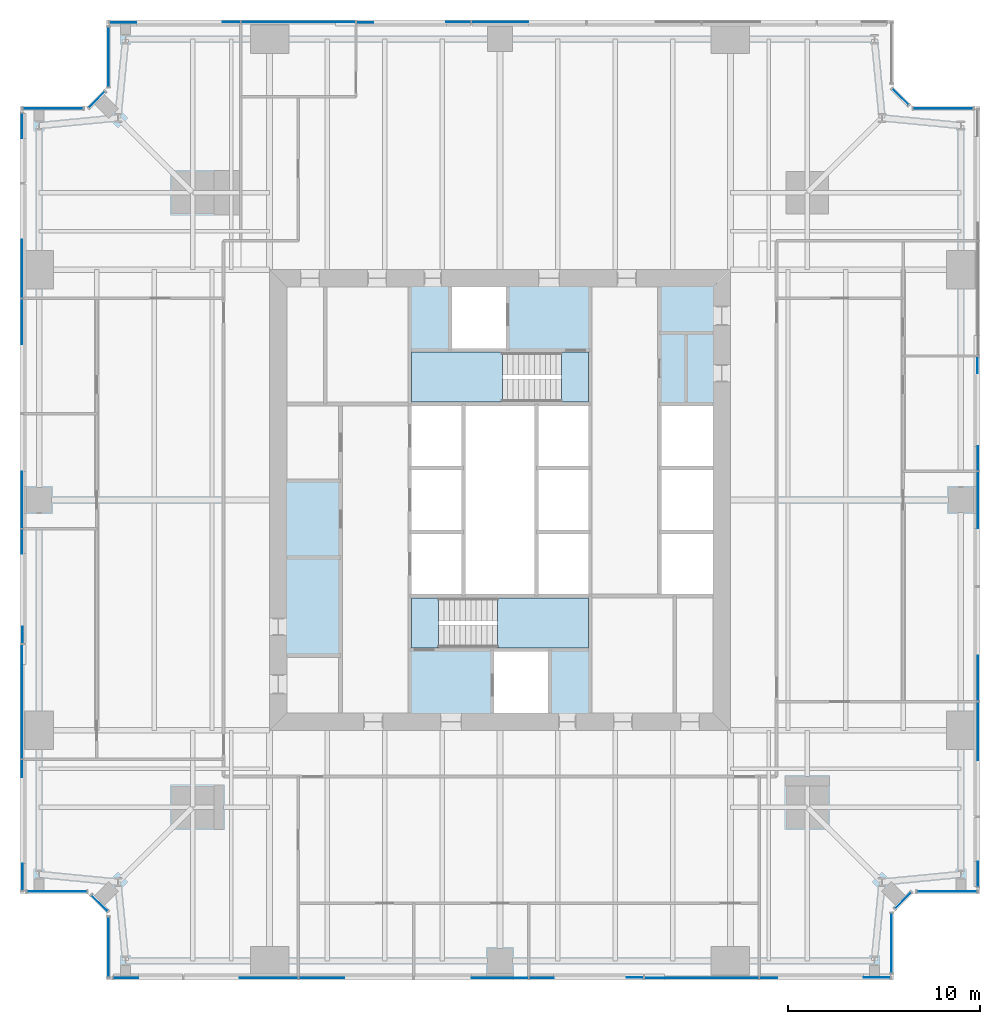
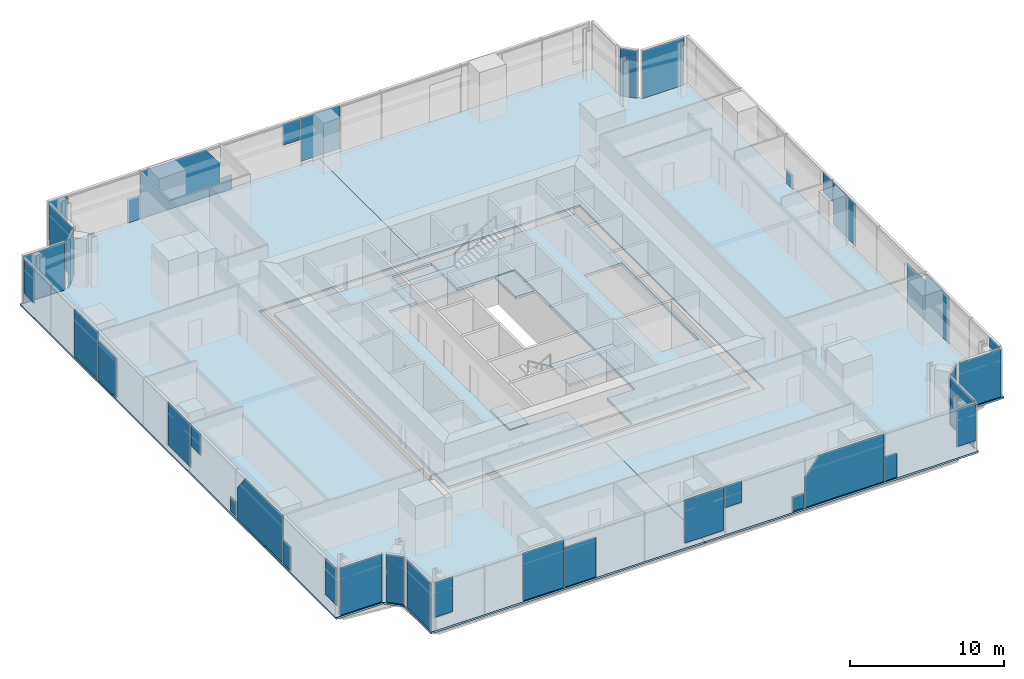
# One storey, part 8 of 14: 41 plates, 7 slabs, 17 elements without a shape of their own.
"""IFC4 building model written with IfcOpenShell, lengths in metres."""

from ifc_helpers import new_model, si_unit, direction, frame, origin, origin_2d, place, context, subcontext, project, spatial, polyline, rectangle, outline, extrude, material, layer, layer_set, type_object, element, aggregate, save


model = new_model("IFC4")

# Units and contexts
model_context = context("Model", 3, precision=1e-05, world=origin(), true_north=direction((0.0, 1.0)))
body_context = subcontext(model_context, "Body", "Model", "MODEL_VIEW")
ifc_project = project(units=[si_unit("LENGTHUNIT", "METRE"), si_unit("AREAUNIT", "SQUARE_METRE"), si_unit("VOLUMEUNIT", "CUBIC_METRE"), si_unit("PLANEANGLEUNIT", "RADIAN"), si_unit("MASSUNIT", "GRAM", prefix="KILO")], contexts=[model_context])

# Site, building, storey
site_placement = place(None, origin())
site = spatial("IfcSite", under=ifc_project, at=site_placement, CompositionType="ELEMENT")
building_placement = place(site_placement, origin())
building = spatial("IfcBuilding", under=site, at=building_placement, Name="Fenwick Lantern Interchange", CompositionType="ELEMENT")
storey_placement = place(building_placement, frame((0.0, 0.0, 150.39990234375)))
storey = spatial("IfcBuildingStorey", under=building, at=storey_placement, Name="L35", CompositionType="ELEMENT", Elevation=150.39990234375)

# Slabs
ifc_material_1 = material(Name="Concrete f'c 35 MPa", Category="concrete")
ifc_layer_1 = layer(ifc_material_1, 0.199951171875)
ifc_layer_set_1 = layer_set([ifc_layer_1], Name="CORE FLOOR SLAB 200")
slab_type_1 = type_object("IfcSlabType", Name="CORE FLOOR SLAB 200", PredefinedType="FLOOR", material=ifc_layer_set_1)
slab_1_placement = place(storey_placement, frame((0.0, 0.0, -0.199951171875)))
element("IfcSlab", 1, at=slab_1_placement, inside=storey, type_object=slab_type_1, Name="L35/SLAB/CORE", PredefinedType="FLOOR", context=body_context, shape_type="SweptSolid", body=[
    extrude(outline(polyline([(13.699951171875, 36.300048828125), (36.300048828125, 36.300048828125), (36.300048828125, 13.699951171875), (13.699951171875, 13.699951171875), (13.699951171875, 36.300048828125)]), holes=[polyline([(29.699951171875, 17.199951171875), (29.699951171875, 20.0), (29.699951171875, 23.333251953125), (29.699951171875, 26.666748046875), (29.699951171875, 30.0), (29.699951171875, 32.800048828125), (25.39990234375, 32.800048828125), (25.39990234375, 36.10009765625), (22.39990234375, 36.10009765625), (22.39990234375, 32.800048828125), (20.300048828125, 32.800048828125), (20.300048828125, 30.0), (20.300048828125, 26.666748046875), (20.300048828125, 23.333251953125), (20.300048828125, 20.0), (20.300048828125, 17.199951171875), (24.60009765625, 17.199951171875), (24.60009765625, 13.89990234375), (27.60009765625, 13.89990234375), (27.60009765625, 17.199951171875), (29.699951171875, 17.199951171875)]), polyline([(33.300048828125, 23.333251953125), (33.300048828125, 20.0), (36.10009765625, 20.0), (36.10009765625, 23.333251953125), (36.10009765625, 26.666748046875), (36.10009765625, 30.0), (33.300048828125, 30.0), (33.300048828125, 26.666748046875), (33.300048828125, 23.333251953125)])]), origin(), (0.0, 0.0, 1.0), 0.199951171875),
])
ifc_material_2 = material(Name="Concrete f'c 35 MPa", Category="concrete")
ifc_layer_2 = layer(ifc_material_2, 0.14990234375)
ifc_layer_set_2 = layer_set([ifc_layer_2], Name="Concrete f'c 35 MPa")
slab_type_2 = type_object("IfcSlabType", Name="FLOOR SLAB 150", PredefinedType="FLOOR", material=ifc_layer_set_2)
slab_2_placement = place(storey_placement, frame((0.0, 0.0, -0.14990234375)))
element("IfcSlab", 2, at=slab_2_placement, inside=storey, type_object=slab_type_2, Name="L35/SLAB/FW", PredefinedType="FLOOR", context=body_context, shape_type="SweptSolid", body=[
    extrude(outline(polyline([(4.5, 0.0), (4.5, 3.5), (3.5, 4.5), (0.0, 4.5), (0.0, 45.5), (3.5, 45.5), (4.5, 46.5), (4.5, 50.0), (25.0, 50.0), (25.0, 37.0), (13.0, 37.0), (13.0, 13.0), (25.0, 13.0), (25.0, 0.0), (4.5, 0.0)])), origin(), (0.0, 0.0, 1.0), 0.14990234375),
])
slab_3_placement = place(storey_placement, frame((0.0, 0.0, -0.14990234375)))
element("IfcSlab", 3, at=slab_3_placement, inside=storey, type_object=slab_type_2, Name="L35/SLAB/FE", PredefinedType="FLOOR", context=body_context, shape_type="SweptSolid", body=[
    extrude(outline(polyline([(45.5, 50.0), (45.5, 46.5), (46.5, 45.5), (50.0, 45.5), (50.0, 4.5), (46.5, 4.5), (45.5, 3.5), (45.5, 0.0), (25.0, 0.0), (25.0, 13.0), (37.0, 13.0), (37.0, 37.0), (25.0, 37.0), (25.0, 50.0), (45.5, 50.0)])), origin(), (0.0, 0.0, 1.0), 0.14990234375),
])

# Curtain wall, plates
ifc_material_3 = material(Name="Aluminium curtain wall frame", Category="aluminium")
curtain_wall_type = type_object("IfcCurtainWallType", Name="OFFICE CURTAIN WALL", PredefinedType="USERDEFINED", material=ifc_material_3)
curtain_wall_1_placement = place(storey_placement, origin())
curtain_wall_1 = element("IfcCurtainWall", 4, at=curtain_wall_1_placement, inside=storey, type_object=curtain_wall_type, Name="Office curtain wall 01", ObjectType="OFFICE CURTAIN WALL", PredefinedType="USERDEFINED")
ifc_material_4 = material(Name="Vision glass, clear low-iron double glazed", Category="glass")
ifc_layer_3 = layer(ifc_material_4, 0.031982421875)
ifc_layer_set_3 = layer_set([ifc_layer_3], Name="OFFICE CURTAIN WALL PANEL 32")
plate_type = type_object("IfcPlateType", Name="OFFICE CURTAIN WALL PANEL 32", PredefinedType="CURTAIN_PANEL", material=ifc_layer_set_3)
plate_1_placement = place(storey_placement, frame((4.60009765625, 0.10009765625, 1.008056640625), z_axis=(0.0, 0.0, 1.0), x_axis=(1.0, 0.0, 0.0)))
plate_1 = element("IfcPlate", 5, at=plate_1_placement, type_object=plate_type, Name="L35/CW/01/P00a", PredefinedType="CURTAIN_PANEL", context=body_context, shape_type="SweptSolid", body=[
    extrude(outline(polyline([(0.264892578125, 0.0), (1.56005859375, 0.0), (1.56005859375, 2.741943359375), (0.264892578125, 2.741943359375), (0.264892578125, 0.0)])), frame((0.0, 0.01611328125, 0.0), z_axis=(0.0, -1.0, 0.0), x_axis=(1.0, 0.0, 0.0)), (0.0, 0.0, 1.0), 0.031982421875),
])
plate_2_placement = place(storey_placement, frame((4.60009765625, 0.10009765625, 0.0), z_axis=(0.0, 0.0, 1.0), x_axis=(1.0, 0.0, 0.0)))
plate_2 = element("IfcPlate", 6, at=plate_2_placement, type_object=plate_type, Name="L35/CW/01/P01a", PredefinedType="CURTAIN_PANEL", context=body_context, shape_type="SweptSolid", body=[
    extrude(outline(polyline([(6.835205078125, 0.0), (9.867431640625, 0.0), (9.867431640625, 3.7490234375), (6.835205078125, 3.7490234375), (6.835205078125, 0.0)])), frame((0.0, 0.01611328125, 0.0), z_axis=(0.0, -1.0, 0.0), x_axis=(1.0, 0.0, 0.0)), (0.0, 0.0, 1.0), 0.031982421875),
])
plate_3_placement = place(storey_placement, frame((4.60009765625, 0.10009765625, 0.0), z_axis=(0.0, 0.0, 1.0), x_axis=(1.0, 0.0, 0.0)))
plate_3 = element("IfcPlate", 7, at=plate_3_placement, type_object=plate_type, Name="L35/CW/01/P02a", PredefinedType="CURTAIN_PANEL", context=body_context, shape_type="SweptSolid", body=[
    extrude(outline(polyline([(9.9326171875, 0.0), (12.297607421875, 0.0), (12.297607421875, 3.133544921875), (9.9326171875, 3.133544921875), (9.9326171875, 0.0)])), frame((0.0, 0.01611328125, 0.0), z_axis=(0.0, -1.0, 0.0), x_axis=(1.0, 0.0, 0.0)), (0.0, 0.0, 1.0), 0.031982421875),
])
plate_4_placement = place(storey_placement, frame((4.60009765625, 0.10009765625, 0.328125), z_axis=(0.0, 0.0, 1.0), x_axis=(1.0, 0.0, 0.0)))
plate_4 = element("IfcPlate", 8, at=plate_4_placement, type_object=plate_type, Name="L35/CW/01/P03a", PredefinedType="CURTAIN_PANEL", context=body_context, shape_type="SweptSolid", body=[
    extrude(outline(polyline([(18.928466796875, 0.0), (21.867431640625, 0.0), (21.867431640625, 3.421875), (18.928466796875, 3.421875), (18.928466796875, 0.0)])), frame((0.0, 0.01611328125, 0.0), z_axis=(0.0, -1.0, 0.0), x_axis=(1.0, 0.0, 0.0)), (0.0, 0.0, 1.0), 0.031982421875),
])
plate_5_placement = place(storey_placement, frame((4.60009765625, 0.10009765625, 2.076904296875), z_axis=(0.0, 0.0, 1.0), x_axis=(1.0, 0.0, 0.0)))
plate_5 = element("IfcPlate", 9, at=plate_5_placement, type_object=plate_type, Name="L35/CW/01/P04a", PredefinedType="CURTAIN_PANEL", context=body_context, shape_type="SweptSolid", body=[
    extrude(outline(polyline([(21.9326171875, 0.0), (23.1923828125, 0.0), (23.1923828125, 1.673095703125), (21.9326171875, 1.673095703125), (21.9326171875, 0.0)])), frame((0.0, 0.01611328125, 0.0), z_axis=(0.0, -1.0, 0.0), x_axis=(1.0, 0.0, 0.0)), (0.0, 0.0, 1.0), 0.031982421875),
])
plate_6_placement = place(storey_placement, frame((4.60009765625, 0.10009765625, 0.0), z_axis=(0.0, 0.0, 1.0), x_axis=(1.0, 0.0, 0.0)))
plate_6 = element("IfcPlate", 10, at=plate_6_placement, type_object=plate_type, Name="L35/CW/01/P04b", PredefinedType="CURTAIN_PANEL", context=body_context, shape_type="SweptSolid", body=[
    extrude(outline(polyline([(27.00048828125, 0.0), (27.867431640625, 0.0), (27.867431640625, 1.14501953125), (27.00048828125, 1.14501953125), (27.00048828125, 0.0)])), frame((0.0, 0.0498046875, 0.0), z_axis=(0.0, -1.0, 0.0), x_axis=(1.0, 0.0, 0.0)), (0.0, 0.0, 1.0), 0.031982421875),
])
plate_7_placement = place(storey_placement, frame((4.60009765625, 0.10009765625, 0.0), z_axis=(0.0, 0.0, 1.0), x_axis=(1.0, 0.0, 0.0)))
plate_7 = element("IfcPlate", 11, at=plate_7_placement, type_object=plate_type, Name="L35/CW/01/P05a", PredefinedType="CURTAIN_PANEL", context=body_context, shape_type="SweptSolid", body=[
    extrude(outline(polyline([(27.9326171875, 0.0), (33.867431640625, 0.0), (33.867431640625, 3.75), (28.96826171875, 3.75), (27.9326171875, 2.37890625), (27.9326171875, 0.0)])), frame((0.0, 0.01611328125, 0.0), z_axis=(0.0, -1.0, 0.0), x_axis=(1.0, 0.0, 0.0)), (0.0, 0.0, 1.0), 0.031982421875),
])
plate_8_placement = place(storey_placement, frame((4.60009765625, 0.10009765625, 0.0), z_axis=(0.0, 0.0, 1.0), x_axis=(1.0, 0.0, 0.0)))
plate_8 = element("IfcPlate", 12, at=plate_8_placement, type_object=plate_type, Name="L35/CW/01/P06a", PredefinedType="CURTAIN_PANEL", context=body_context, shape_type="SweptSolid", body=[
    extrude(outline(polyline([(33.9326171875, 0.0), (34.83251953125, 0.0), (34.83251953125, 1.9111328125), (33.9326171875, 1.9111328125), (33.9326171875, 0.0)])), frame((0.0, 0.01611328125, 0.0), z_axis=(0.0, -1.0, 0.0), x_axis=(1.0, 0.0, 0.0)), (0.0, 0.0, 1.0), 0.031982421875),
])
plate_9_placement = place(storey_placement, frame((4.60009765625, 0.10009765625, 0.79541015625), z_axis=(0.0, 0.0, 1.0), x_axis=(1.0, 0.0, 0.0)))
plate_9 = element("IfcPlate", 13, at=plate_9_placement, type_object=plate_type, Name="L35/CW/01/P06b", PredefinedType="CURTAIN_PANEL", context=body_context, shape_type="SweptSolid", body=[
    extrude(outline(polyline([(39.34033203125, 0.0), (40.735107421875, 0.0), (40.735107421875, 2.95458984375), (39.34033203125, 2.95458984375), (39.34033203125, 0.0)])), frame((0.0, 0.0498046875, 0.0), z_axis=(0.0, -1.0, 0.0), x_axis=(1.0, 0.0, 0.0)), (0.0, 0.0, 1.0), 0.031982421875),
])
aggregate(curtain_wall_1, [plate_1, plate_2, plate_3, plate_4, plate_5, plate_6, plate_7, plate_8, plate_9])

# Curtain wall, plate
curtain_wall_2_placement = place(storey_placement, origin())
curtain_wall_2 = element("IfcCurtainWall", 14, at=curtain_wall_2_placement, inside=storey, type_object=curtain_wall_type, Name="Office curtain wall 02", ObjectType="OFFICE CURTAIN WALL", PredefinedType="USERDEFINED")
plate_10_placement = place(storey_placement, frame((45.39990234375, 1.920654296875, 0.0), z_axis=(0.0, 0.0, 1.0), x_axis=(0.0, 1.0, 0.0)))
plate_10 = element("IfcPlate", 15, at=plate_10_placement, type_object=plate_type, Name="L35/CW/02/P00", PredefinedType="CURTAIN_PANEL", context=body_context, shape_type="SweptSolid", body=[
    extrude(rectangle(XDim=3.111328125, YDim=0.031982421875, at=origin_2d()), origin(), (0.0, 0.0, 1.0), 3.75),
])
aggregate(curtain_wall_2, [plate_10])

curtain_wall_3_placement = place(storey_placement, origin())
curtain_wall_3 = element("IfcCurtainWall", 16, at=curtain_wall_3_placement, inside=storey, type_object=curtain_wall_type, Name="Office curtain wall 03", ObjectType="OFFICE CURTAIN WALL", PredefinedType="USERDEFINED")
plate_11_placement = place(storey_placement, frame((46.0, 4.141357421875, 0.0), z_axis=(0.0, 0.0, 1.0), x_axis=(0.707106781187, 0.707106781187, 0.0)))
plate_11 = element("IfcPlate", 17, at=plate_11_placement, type_object=plate_type, Name="L35/CW/03/P00", PredefinedType="CURTAIN_PANEL", context=body_context, shape_type="SweptSolid", body=[
    extrude(rectangle(XDim=1.1669921875, YDim=0.031982421875, at=origin_2d()), origin(), (0.0, 0.0, 1.0), 3.75),
])
aggregate(curtain_wall_3, [plate_11])

curtain_wall_4_placement = place(storey_placement, origin())
curtain_wall_4 = element("IfcCurtainWall", 18, at=curtain_wall_4_placement, inside=storey, type_object=curtain_wall_type, Name="Office curtain wall 04", ObjectType="OFFICE CURTAIN WALL", PredefinedType="USERDEFINED")
plate_12_placement = place(storey_placement, frame((48.279296875, 4.60009765625, 0.0), z_axis=(0.0, 0.0, 1.0), x_axis=(1.0, 0.0, 0.0)))
plate_12 = element("IfcPlate", 19, at=plate_12_placement, type_object=plate_type, Name="L35/CW/04/P00", PredefinedType="CURTAIN_PANEL", context=body_context, shape_type="SweptSolid", body=[
    extrude(rectangle(XDim=3.111328125, YDim=0.031982421875, at=origin_2d()), origin(), (0.0, 0.0, 1.0), 3.75),
])
aggregate(curtain_wall_4, [plate_12])

# Curtain wall, plates
curtain_wall_5_placement = place(storey_placement, origin())
curtain_wall_5 = element("IfcCurtainWall", 20, at=curtain_wall_5_placement, inside=storey, type_object=curtain_wall_type, Name="Office curtain wall 05", ObjectType="OFFICE CURTAIN WALL", PredefinedType="USERDEFINED")
plate_13_placement = place(storey_placement, frame((49.89990234375, 4.60009765625, 1.008056640625), z_axis=(0.0, 0.0, 1.0), x_axis=(0.0, 1.0, 0.0)))
plate_13 = element("IfcPlate", 21, at=plate_13_placement, type_object=plate_type, Name="L35/CW/05/P00a", PredefinedType="CURTAIN_PANEL", context=body_context, shape_type="SweptSolid", body=[
    extrude(outline(polyline([(0.264892578125, 0.0), (1.56005859375, 0.0), (1.56005859375, 2.741943359375), (0.264892578125, 2.741943359375), (0.264892578125, 0.0)])), frame((0.0, 0.01611328125, 0.0), z_axis=(0.0, -1.0, 0.0), x_axis=(1.0, 0.0, 0.0)), (0.0, 0.0, 1.0), 0.031982421875),
])
plate_14_placement = place(storey_placement, frame((49.89990234375, 4.60009765625, 0.0), z_axis=(0.0, 0.0, 1.0), x_axis=(0.0, 1.0, 0.0)))
plate_14 = element("IfcPlate", 22, at=plate_14_placement, type_object=plate_type, Name="L35/CW/05/P01a", PredefinedType="CURTAIN_PANEL", context=body_context, shape_type="SweptSolid", body=[
    extrude(outline(polyline([(6.835205078125, 0.0), (9.867431640625, 0.0), (9.867431640625, 3.7490234375), (6.835205078125, 3.7490234375), (6.835205078125, 0.0)])), frame((0.0, 0.01611328125, 0.0), z_axis=(0.0, -1.0, 0.0), x_axis=(1.0, 0.0, 0.0)), (0.0, 0.0, 1.0), 0.031982421875),
])
plate_15_placement = place(storey_placement, frame((49.89990234375, 4.60009765625, 0.0), z_axis=(0.0, 0.0, 1.0), x_axis=(0.0, 1.0, 0.0)))
plate_15 = element("IfcPlate", 23, at=plate_15_placement, type_object=plate_type, Name="L35/CW/05/P02a", PredefinedType="CURTAIN_PANEL", context=body_context, shape_type="SweptSolid", body=[
    extrude(outline(polyline([(9.9326171875, 0.0), (12.297607421875, 0.0), (12.297607421875, 3.133544921875), (9.9326171875, 3.133544921875), (9.9326171875, 0.0)])), frame((0.0, 0.01611328125, 0.0), z_axis=(0.0, -1.0, 0.0), x_axis=(1.0, 0.0, 0.0)), (0.0, 0.0, 1.0), 0.031982421875),
])
plate_16_placement = place(storey_placement, frame((49.89990234375, 4.60009765625, 0.328125), z_axis=(0.0, 0.0, 1.0), x_axis=(0.0, 1.0, 0.0)))
plate_16 = element("IfcPlate", 24, at=plate_16_placement, type_object=plate_type, Name="L35/CW/05/P03a", PredefinedType="CURTAIN_PANEL", context=body_context, shape_type="SweptSolid", body=[
    extrude(outline(polyline([(18.928466796875, 0.0), (21.867431640625, 0.0), (21.867431640625, 3.421875), (18.928466796875, 3.421875), (18.928466796875, 0.0)])), frame((0.0, 0.01611328125, 0.0), z_axis=(0.0, -1.0, 0.0), x_axis=(1.0, 0.0, 0.0)), (0.0, 0.0, 1.0), 0.031982421875),
])
plate_17_placement = place(storey_placement, frame((49.89990234375, 4.60009765625, 2.076904296875), z_axis=(0.0, 0.0, 1.0), x_axis=(0.0, 1.0, 0.0)))
plate_17 = element("IfcPlate", 25, at=plate_17_placement, type_object=plate_type, Name="L35/CW/05/P04a", PredefinedType="CURTAIN_PANEL", context=body_context, shape_type="SweptSolid", body=[
    extrude(outline(polyline([(21.9326171875, 0.0), (23.1923828125, 0.0), (23.1923828125, 1.673095703125), (21.9326171875, 1.673095703125), (21.9326171875, 0.0)])), frame((0.0, 0.01611328125, 0.0), z_axis=(0.0, -1.0, 0.0), x_axis=(1.0, 0.0, 0.0)), (0.0, 0.0, 1.0), 0.031982421875),
])
plate_18_placement = place(storey_placement, frame((49.89990234375, 4.60009765625, 0.0), z_axis=(0.0, 0.0, 1.0), x_axis=(0.0, 1.0, 0.0)))
plate_18 = element("IfcPlate", 26, at=plate_18_placement, type_object=plate_type, Name="L35/CW/05/P04b", PredefinedType="CURTAIN_PANEL", context=body_context, shape_type="SweptSolid", body=[
    extrude(outline(polyline([(27.00048828125, 0.0), (27.867431640625, 0.0), (27.867431640625, 1.14501953125), (27.00048828125, 1.14501953125), (27.00048828125, 0.0)])), frame((0.0, 0.0498046875, 0.0), z_axis=(0.0, -1.0, 0.0), x_axis=(1.0, 0.0, 0.0)), (0.0, 0.0, 1.0), 0.031982421875),
])
aggregate(curtain_wall_5, [plate_13, plate_14, plate_15, plate_16, plate_17, plate_18])

# Curtain wall, plate
curtain_wall_6_placement = place(storey_placement, origin())
curtain_wall_6 = element("IfcCurtainWall", 27, at=curtain_wall_6_placement, inside=storey, type_object=curtain_wall_type, Name="Office curtain wall 06", ObjectType="OFFICE CURTAIN WALL", PredefinedType="USERDEFINED")
plate_19_placement = place(storey_placement, frame((48.079345703125, 45.39990234375, 0.0), z_axis=(0.0, 0.0, 1.0), x_axis=(-1.0, 0.0, 0.0)))
plate_19 = element("IfcPlate", 28, at=plate_19_placement, type_object=plate_type, Name="L35/CW/06/P00", PredefinedType="CURTAIN_PANEL", context=body_context, shape_type="SweptSolid", body=[
    extrude(rectangle(XDim=3.111328125, YDim=0.031982421875, at=origin_2d()), origin(), (0.0, 0.0, 1.0), 3.75),
])
aggregate(curtain_wall_6, [plate_19])

curtain_wall_7_placement = place(storey_placement, origin())
curtain_wall_7 = element("IfcCurtainWall", 29, at=curtain_wall_7_placement, inside=storey, type_object=curtain_wall_type, Name="Office curtain wall 07", ObjectType="OFFICE CURTAIN WALL", PredefinedType="USERDEFINED")
plate_20_placement = place(storey_placement, frame((45.858642578125, 46.0, 0.0), z_axis=(0.0, 0.0, 1.0), x_axis=(-0.707106781187, 0.707106781187, 0.0)))
plate_20 = element("IfcPlate", 30, at=plate_20_placement, type_object=plate_type, Name="L35/CW/07/P00", PredefinedType="CURTAIN_PANEL", context=body_context, shape_type="SweptSolid", body=[
    extrude(rectangle(XDim=1.1669921875, YDim=0.031982421875, at=origin_2d()), origin(), (0.0, 0.0, 1.0), 3.75),
])
aggregate(curtain_wall_7, [plate_20])

# Curtain wall, plates
curtain_wall_8_placement = place(storey_placement, origin())
curtain_wall_8 = element("IfcCurtainWall", 31, at=curtain_wall_8_placement, inside=storey, type_object=curtain_wall_type, Name="Office curtain wall 09", ObjectType="OFFICE CURTAIN WALL", PredefinedType="USERDEFINED")
plate_21_placement = place(storey_placement, frame((45.39990234375, 49.89990234375, 0.328125), z_axis=(0.0, 0.0, 1.0), x_axis=(-1.0, 0.0, 0.0)))
plate_21 = element("IfcPlate", 32, at=plate_21_placement, type_object=plate_type, Name="L35/CW/09/P03a", PredefinedType="CURTAIN_PANEL", context=body_context, shape_type="SweptSolid", body=[
    extrude(outline(polyline([(18.928466796875, 0.0), (21.867431640625, 0.0), (21.867431640625, 3.421875), (18.928466796875, 3.421875), (18.928466796875, 0.0)])), frame((0.0, 0.01611328125, 0.0), z_axis=(0.0, -1.0, 0.0), x_axis=(1.0, 0.0, 0.0)), (0.0, 0.0, 1.0), 0.031982421875),
])
plate_22_placement = place(storey_placement, frame((45.39990234375, 49.89990234375, 2.076904296875), z_axis=(0.0, 0.0, 1.0), x_axis=(-1.0, 0.0, 0.0)))
plate_22 = element("IfcPlate", 33, at=plate_22_placement, type_object=plate_type, Name="L35/CW/09/P04a", PredefinedType="CURTAIN_PANEL", context=body_context, shape_type="SweptSolid", body=[
    extrude(outline(polyline([(21.9326171875, 0.0), (23.1923828125, 0.0), (23.1923828125, 1.673095703125), (21.9326171875, 1.673095703125), (21.9326171875, 0.0)])), frame((0.0, 0.01611328125, 0.0), z_axis=(0.0, -1.0, 0.0), x_axis=(1.0, 0.0, 0.0)), (0.0, 0.0, 1.0), 0.031982421875),
])
plate_23_placement = place(storey_placement, frame((45.39990234375, 49.89990234375, 0.0), z_axis=(0.0, 0.0, 1.0), x_axis=(-1.0, 0.0, 0.0)))
plate_23 = element("IfcPlate", 34, at=plate_23_placement, type_object=plate_type, Name="L35/CW/09/P04b", PredefinedType="CURTAIN_PANEL", context=body_context, shape_type="SweptSolid", body=[
    extrude(outline(polyline([(27.00048828125, 0.0), (27.867431640625, 0.0), (27.867431640625, 1.14501953125), (27.00048828125, 1.14501953125), (27.00048828125, 0.0)])), frame((0.0, 0.0498046875, 0.0), z_axis=(0.0, -1.0, 0.0), x_axis=(1.0, 0.0, 0.0)), (0.0, 0.0, 1.0), 0.031982421875),
])
plate_24_placement = place(storey_placement, frame((45.39990234375, 49.89990234375, 0.0), z_axis=(0.0, 0.0, 1.0), x_axis=(-1.0, 0.0, 0.0)))
plate_24 = element("IfcPlate", 35, at=plate_24_placement, type_object=plate_type, Name="L35/CW/09/P05a", PredefinedType="CURTAIN_PANEL", context=body_context, shape_type="SweptSolid", body=[
    extrude(outline(polyline([(27.9326171875, 0.0), (33.867431640625, 0.0), (33.867431640625, 3.75), (28.96826171875, 3.75), (27.9326171875, 2.37890625), (27.9326171875, 0.0)])), frame((0.0, 0.01611328125, 0.0), z_axis=(0.0, -1.0, 0.0), x_axis=(1.0, 0.0, 0.0)), (0.0, 0.0, 1.0), 0.031982421875),
])
plate_25_placement = place(storey_placement, frame((45.39990234375, 49.89990234375, 0.0), z_axis=(0.0, 0.0, 1.0), x_axis=(-1.0, 0.0, 0.0)))
plate_25 = element("IfcPlate", 36, at=plate_25_placement, type_object=plate_type, Name="L35/CW/09/P06a", PredefinedType="CURTAIN_PANEL", context=body_context, shape_type="SweptSolid", body=[
    extrude(outline(polyline([(33.9326171875, 0.0), (34.83251953125, 0.0), (34.83251953125, 1.9111328125), (33.9326171875, 1.9111328125), (33.9326171875, 0.0)])), frame((0.0, 0.01611328125, 0.0), z_axis=(0.0, -1.0, 0.0), x_axis=(1.0, 0.0, 0.0)), (0.0, 0.0, 1.0), 0.031982421875),
])
plate_26_placement = place(storey_placement, frame((45.39990234375, 49.89990234375, 0.79541015625), z_axis=(0.0, 0.0, 1.0), x_axis=(-1.0, 0.0, 0.0)))
plate_26 = element("IfcPlate", 37, at=plate_26_placement, type_object=plate_type, Name="L35/CW/09/P06b", PredefinedType="CURTAIN_PANEL", context=body_context, shape_type="SweptSolid", body=[
    extrude(outline(polyline([(39.34033203125, 0.0), (40.735107421875, 0.0), (40.735107421875, 2.95458984375), (39.34033203125, 2.95458984375), (39.34033203125, 0.0)])), frame((0.0, 0.0498046875, 0.0), z_axis=(0.0, -1.0, 0.0), x_axis=(1.0, 0.0, 0.0)), (0.0, 0.0, 1.0), 0.031982421875),
])
aggregate(curtain_wall_8, [plate_21, plate_22, plate_23, plate_24, plate_25, plate_26])

# Curtain wall, plate
curtain_wall_9_placement = place(storey_placement, origin())
curtain_wall_9 = element("IfcCurtainWall", 38, at=curtain_wall_9_placement, inside=storey, type_object=curtain_wall_type, Name="Office curtain wall 10", ObjectType="OFFICE CURTAIN WALL", PredefinedType="USERDEFINED")
plate_27_placement = place(storey_placement, frame((4.60009765625, 48.079345703125, 0.0), z_axis=(0.0, 0.0, 1.0), x_axis=(0.0, -1.0, 0.0)))
plate_27 = element("IfcPlate", 39, at=plate_27_placement, type_object=plate_type, Name="L35/CW/10/P00", PredefinedType="CURTAIN_PANEL", context=body_context, shape_type="SweptSolid", body=[
    extrude(rectangle(XDim=3.111328125, YDim=0.031982421875, at=origin_2d()), origin(), (0.0, 0.0, 1.0), 3.75),
])
aggregate(curtain_wall_9, [plate_27])

curtain_wall_10_placement = place(storey_placement, origin())
curtain_wall_10 = element("IfcCurtainWall", 40, at=curtain_wall_10_placement, inside=storey, type_object=curtain_wall_type, Name="Office curtain wall 11", ObjectType="OFFICE CURTAIN WALL", PredefinedType="USERDEFINED")
plate_28_placement = place(storey_placement, frame((4.0, 45.858642578125, 0.0), z_axis=(0.0, 0.0, 1.0), x_axis=(-0.707106781187, -0.707106781187, 0.0)))
plate_28 = element("IfcPlate", 41, at=plate_28_placement, type_object=plate_type, Name="L35/CW/11/P00", PredefinedType="CURTAIN_PANEL", context=body_context, shape_type="SweptSolid", body=[
    extrude(rectangle(XDim=1.1669921875, YDim=0.031982421875, at=origin_2d()), origin(), (0.0, 0.0, 1.0), 3.75),
])
aggregate(curtain_wall_10, [plate_28])

curtain_wall_11_placement = place(storey_placement, origin())
curtain_wall_11 = element("IfcCurtainWall", 42, at=curtain_wall_11_placement, inside=storey, type_object=curtain_wall_type, Name="Office curtain wall 12", ObjectType="OFFICE CURTAIN WALL", PredefinedType="USERDEFINED")
plate_29_placement = place(storey_placement, frame((1.720703125, 45.39990234375, 0.0), z_axis=(0.0, 0.0, 1.0), x_axis=(-1.0, 0.0, 0.0)))
plate_29 = element("IfcPlate", 43, at=plate_29_placement, type_object=plate_type, Name="L35/CW/12/P00", PredefinedType="CURTAIN_PANEL", context=body_context, shape_type="SweptSolid", body=[
    extrude(rectangle(XDim=3.111328125, YDim=0.031982421875, at=origin_2d()), origin(), (0.0, 0.0, 1.0), 3.75),
])
aggregate(curtain_wall_11, [plate_29])

# Curtain wall, plates
curtain_wall_12_placement = place(storey_placement, origin())
curtain_wall_12 = element("IfcCurtainWall", 44, at=curtain_wall_12_placement, inside=storey, type_object=curtain_wall_type, Name="Office curtain wall 13", ObjectType="OFFICE CURTAIN WALL", PredefinedType="USERDEFINED")
plate_30_placement = place(storey_placement, frame((0.10009765625, 45.39990234375, 1.008056640625), z_axis=(0.0, 0.0, 1.0), x_axis=(0.0, -1.0, 0.0)))
plate_30 = element("IfcPlate", 45, at=plate_30_placement, type_object=plate_type, Name="L35/CW/13/P00a", PredefinedType="CURTAIN_PANEL", context=body_context, shape_type="SweptSolid", body=[
    extrude(outline(polyline([(0.264892578125, 0.0), (1.56005859375, 0.0), (1.56005859375, 2.741943359375), (0.264892578125, 2.741943359375), (0.264892578125, 0.0)])), frame((0.0, 0.01611328125, 0.0), z_axis=(0.0, -1.0, 0.0), x_axis=(1.0, 0.0, 0.0)), (0.0, 0.0, 1.0), 0.031982421875),
])
plate_31_placement = place(storey_placement, frame((0.10009765625, 45.39990234375, 0.0), z_axis=(0.0, 0.0, 1.0), x_axis=(0.0, -1.0, 0.0)))
plate_31 = element("IfcPlate", 46, at=plate_31_placement, type_object=plate_type, Name="L35/CW/13/P01a", PredefinedType="CURTAIN_PANEL", context=body_context, shape_type="SweptSolid", body=[
    extrude(outline(polyline([(6.835205078125, 0.0), (9.867431640625, 0.0), (9.867431640625, 3.7490234375), (6.835205078125, 3.7490234375), (6.835205078125, 0.0)])), frame((0.0, 0.01611328125, 0.0), z_axis=(0.0, -1.0, 0.0), x_axis=(1.0, 0.0, 0.0)), (0.0, 0.0, 1.0), 0.031982421875),
])
plate_32_placement = place(storey_placement, frame((0.10009765625, 45.39990234375, 0.0), z_axis=(0.0, 0.0, 1.0), x_axis=(0.0, -1.0, 0.0)))
plate_32 = element("IfcPlate", 47, at=plate_32_placement, type_object=plate_type, Name="L35/CW/13/P02a", PredefinedType="CURTAIN_PANEL", context=body_context, shape_type="SweptSolid", body=[
    extrude(outline(polyline([(9.9326171875, 0.0), (12.297607421875, 0.0), (12.297607421875, 3.133544921875), (9.9326171875, 3.133544921875), (9.9326171875, 0.0)])), frame((0.0, 0.01611328125, 0.0), z_axis=(0.0, -1.0, 0.0), x_axis=(1.0, 0.0, 0.0)), (0.0, 0.0, 1.0), 0.031982421875),
])
plate_33_placement = place(storey_placement, frame((0.10009765625, 45.39990234375, 0.328125), z_axis=(0.0, 0.0, 1.0), x_axis=(0.0, -1.0, 0.0)))
plate_33 = element("IfcPlate", 48, at=plate_33_placement, type_object=plate_type, Name="L35/CW/13/P03a", PredefinedType="CURTAIN_PANEL", context=body_context, shape_type="SweptSolid", body=[
    extrude(outline(polyline([(18.928466796875, 0.0), (21.867431640625, 0.0), (21.867431640625, 3.421875), (18.928466796875, 3.421875), (18.928466796875, 0.0)])), frame((0.0, 0.01611328125, 0.0), z_axis=(0.0, -1.0, 0.0), x_axis=(1.0, 0.0, 0.0)), (0.0, 0.0, 1.0), 0.031982421875),
])
plate_34_placement = place(storey_placement, frame((0.10009765625, 45.39990234375, 2.076904296875), z_axis=(0.0, 0.0, 1.0), x_axis=(0.0, -1.0, 0.0)))
plate_34 = element("IfcPlate", 49, at=plate_34_placement, type_object=plate_type, Name="L35/CW/13/P04a", PredefinedType="CURTAIN_PANEL", context=body_context, shape_type="SweptSolid", body=[
    extrude(outline(polyline([(21.9326171875, 0.0), (23.1923828125, 0.0), (23.1923828125, 1.673095703125), (21.9326171875, 1.673095703125), (21.9326171875, 0.0)])), frame((0.0, 0.01611328125, 0.0), z_axis=(0.0, -1.0, 0.0), x_axis=(1.0, 0.0, 0.0)), (0.0, 0.0, 1.0), 0.031982421875),
])
plate_35_placement = place(storey_placement, frame((0.10009765625, 45.39990234375, 0.0), z_axis=(0.0, 0.0, 1.0), x_axis=(0.0, -1.0, 0.0)))
plate_35 = element("IfcPlate", 50, at=plate_35_placement, type_object=plate_type, Name="L35/CW/13/P04b", PredefinedType="CURTAIN_PANEL", context=body_context, shape_type="SweptSolid", body=[
    extrude(outline(polyline([(27.00048828125, 0.0), (27.867431640625, 0.0), (27.867431640625, 1.14501953125), (27.00048828125, 1.14501953125), (27.00048828125, 0.0)])), frame((0.0, 0.0498046875, 0.0), z_axis=(0.0, -1.0, 0.0), x_axis=(1.0, 0.0, 0.0)), (0.0, 0.0, 1.0), 0.031982421875),
])
plate_36_placement = place(storey_placement, frame((0.10009765625, 45.39990234375, 0.0), z_axis=(0.0, 0.0, 1.0), x_axis=(0.0, -1.0, 0.0)))
plate_36 = element("IfcPlate", 51, at=plate_36_placement, type_object=plate_type, Name="L35/CW/13/P05a", PredefinedType="CURTAIN_PANEL", context=body_context, shape_type="SweptSolid", body=[
    extrude(outline(polyline([(27.9326171875, 0.0), (33.867431640625, 0.0), (33.867431640625, 3.75), (28.96826171875, 3.75), (27.9326171875, 2.37890625), (27.9326171875, 0.0)])), frame((0.0, 0.01611328125, 0.0), z_axis=(0.0, -1.0, 0.0), x_axis=(1.0, 0.0, 0.0)), (0.0, 0.0, 1.0), 0.031982421875),
])
plate_37_placement = place(storey_placement, frame((0.10009765625, 45.39990234375, 0.0), z_axis=(0.0, 0.0, 1.0), x_axis=(0.0, -1.0, 0.0)))
plate_37 = element("IfcPlate", 52, at=plate_37_placement, type_object=plate_type, Name="L35/CW/13/P06a", PredefinedType="CURTAIN_PANEL", context=body_context, shape_type="SweptSolid", body=[
    extrude(outline(polyline([(33.9326171875, 0.0), (34.83251953125, 0.0), (34.83251953125, 1.9111328125), (33.9326171875, 1.9111328125), (33.9326171875, 0.0)])), frame((0.0, 0.01611328125, 0.0), z_axis=(0.0, -1.0, 0.0), x_axis=(1.0, 0.0, 0.0)), (0.0, 0.0, 1.0), 0.031982421875),
])
plate_38_placement = place(storey_placement, frame((0.10009765625, 45.39990234375, 0.79541015625), z_axis=(0.0, 0.0, 1.0), x_axis=(0.0, -1.0, 0.0)))
plate_38 = element("IfcPlate", 53, at=plate_38_placement, type_object=plate_type, Name="L35/CW/13/P06b", PredefinedType="CURTAIN_PANEL", context=body_context, shape_type="SweptSolid", body=[
    extrude(outline(polyline([(39.34033203125, 0.0), (40.735107421875, 0.0), (40.735107421875, 2.95458984375), (39.34033203125, 2.95458984375), (39.34033203125, 0.0)])), frame((0.0, 0.0498046875, 0.0), z_axis=(0.0, -1.0, 0.0), x_axis=(1.0, 0.0, 0.0)), (0.0, 0.0, 1.0), 0.031982421875),
])
aggregate(curtain_wall_12, [plate_30, plate_31, plate_32, plate_33, plate_34, plate_35, plate_36, plate_37, plate_38])

# Curtain wall, plate
curtain_wall_13_placement = place(storey_placement, origin())
curtain_wall_13 = element("IfcCurtainWall", 54, at=curtain_wall_13_placement, inside=storey, type_object=curtain_wall_type, Name="Office curtain wall 14", ObjectType="OFFICE CURTAIN WALL", PredefinedType="USERDEFINED")
plate_39_placement = place(storey_placement, frame((1.920654296875, 4.60009765625, 0.0), z_axis=(0.0, 0.0, 1.0), x_axis=(1.0, 0.0, 0.0)))
plate_39 = element("IfcPlate", 55, at=plate_39_placement, type_object=plate_type, Name="L35/CW/14/P00", PredefinedType="CURTAIN_PANEL", context=body_context, shape_type="SweptSolid", body=[
    extrude(rectangle(XDim=3.111328125, YDim=0.031982421875, at=origin_2d()), origin(), (0.0, 0.0, 1.0), 3.75),
])
aggregate(curtain_wall_13, [plate_39])

curtain_wall_14_placement = place(storey_placement, origin())
curtain_wall_14 = element("IfcCurtainWall", 56, at=curtain_wall_14_placement, inside=storey, type_object=curtain_wall_type, Name="Office curtain wall 15", ObjectType="OFFICE CURTAIN WALL", PredefinedType="USERDEFINED")
plate_40_placement = place(storey_placement, frame((4.141357421875, 4.0, 0.0), z_axis=(0.0, 0.0, 1.0), x_axis=(0.707106781187, -0.707106781187, 0.0)))
plate_40 = element("IfcPlate", 57, at=plate_40_placement, type_object=plate_type, Name="L35/CW/15/P00", PredefinedType="CURTAIN_PANEL", context=body_context, shape_type="SweptSolid", body=[
    extrude(rectangle(XDim=1.1669921875, YDim=0.031982421875, at=origin_2d()), origin(), (0.0, 0.0, 1.0), 3.75),
])
aggregate(curtain_wall_14, [plate_40])

curtain_wall_15_placement = place(storey_placement, origin())
curtain_wall_15 = element("IfcCurtainWall", 58, at=curtain_wall_15_placement, inside=storey, type_object=curtain_wall_type, Name="Office curtain wall 16", ObjectType="OFFICE CURTAIN WALL", PredefinedType="USERDEFINED")
plate_41_placement = place(storey_placement, frame((4.60009765625, 1.720703125, 0.0), z_axis=(0.0, 0.0, 1.0), x_axis=(0.0, -1.0, 0.0)))
plate_41 = element("IfcPlate", 59, at=plate_41_placement, type_object=plate_type, Name="L35/CW/16/P00", PredefinedType="CURTAIN_PANEL", context=body_context, shape_type="SweptSolid", body=[
    extrude(rectangle(XDim=3.111328125, YDim=0.031982421875, at=origin_2d()), origin(), (0.0, 0.0, 1.0), 3.75),
])
aggregate(curtain_wall_15, [plate_41])

# Stair, slabs
ifc_material_5 = material(Name="Precast concrete f'c 35 MPa", Category="concrete")
stair_type = type_object("IfcStairType", Name="EXIT STAIR 1200", PredefinedType="HALF_TURN_STAIR", material=ifc_material_5)
stair_1_placement = place(storey_placement, origin())
stair_1 = element("IfcStair", 60, at=stair_1_placement, inside=storey, type_object=stair_type, Name="Exit stair ST1", PredefinedType="HALF_TURN_STAIR")
ifc_layer_4 = layer(ifc_material_1, 0.199951171875)
ifc_layer_set_4 = layer_set([ifc_layer_4], Name="STAIR LANDING 200")
slab_type_3 = type_object("IfcSlabType", Name="STAIR LANDING 200", PredefinedType="LANDING", material=ifc_layer_set_4)
slab_4_placement = place(storey_placement, frame((0.0, 0.0, 1.800048828125)))
slab_4 = element("IfcSlab", 61, at=slab_4_placement, type_object=slab_type_3, Name="ST1 landing 1", PredefinedType="LANDING", context=body_context, shape_type="SweptSolid", body=[
    extrude(outline(polyline([(24.8798828125, 17.300048828125), (29.60009765625, 17.300048828125), (29.60009765625, 19.89990234375), (24.8798828125, 19.89990234375), (24.8798828125, 17.300048828125)])), origin(), (0.0, 0.0, 1.0), 0.199951171875),
])
slab_5_placement = place(storey_placement, frame((0.0, 0.0, -0.199951171875)))
slab_5 = element("IfcSlab", 62, at=slab_5_placement, type_object=slab_type_3, Name="ST1 landing 2", PredefinedType="LANDING", context=body_context, shape_type="SweptSolid", body=[
    extrude(outline(polyline([(20.39990234375, 17.300048828125), (21.800048828125, 17.300048828125), (21.800048828125, 19.89990234375), (20.39990234375, 19.89990234375), (20.39990234375, 17.300048828125)])), origin(), (0.0, 0.0, 1.0), 0.199951171875),
])
aggregate(stair_1, [slab_4, slab_5])

stair_2_placement = place(storey_placement, origin())
stair_2 = element("IfcStair", 63, at=stair_2_placement, inside=storey, type_object=stair_type, Name="Exit stair ST2", PredefinedType="HALF_TURN_STAIR")
slab_6_placement = place(storey_placement, frame((0.0, 0.0, 1.800048828125)))
slab_6 = element("IfcSlab", 64, at=slab_6_placement, type_object=slab_type_3, Name="ST2 landing 1", PredefinedType="LANDING", context=body_context, shape_type="SweptSolid", body=[
    extrude(outline(polyline([(25.1201171875, 32.699951171875), (20.39990234375, 32.699951171875), (20.39990234375, 30.10009765625), (25.1201171875, 30.10009765625), (25.1201171875, 32.699951171875)])), origin(), (0.0, 0.0, 1.0), 0.199951171875),
])
slab_7_placement = place(storey_placement, frame((0.0, 0.0, -0.199951171875)))
slab_7 = element("IfcSlab", 65, at=slab_7_placement, type_object=slab_type_3, Name="ST2 landing 2", PredefinedType="LANDING", context=body_context, shape_type="SweptSolid", body=[
    extrude(outline(polyline([(29.60009765625, 32.699951171875), (28.199951171875, 32.699951171875), (28.199951171875, 30.10009765625), (29.60009765625, 30.10009765625), (29.60009765625, 32.699951171875)])), origin(), (0.0, 0.0, 1.0), 0.199951171875),
])
aggregate(stair_2, [slab_6, slab_7])

save(model, "model.ifc")
